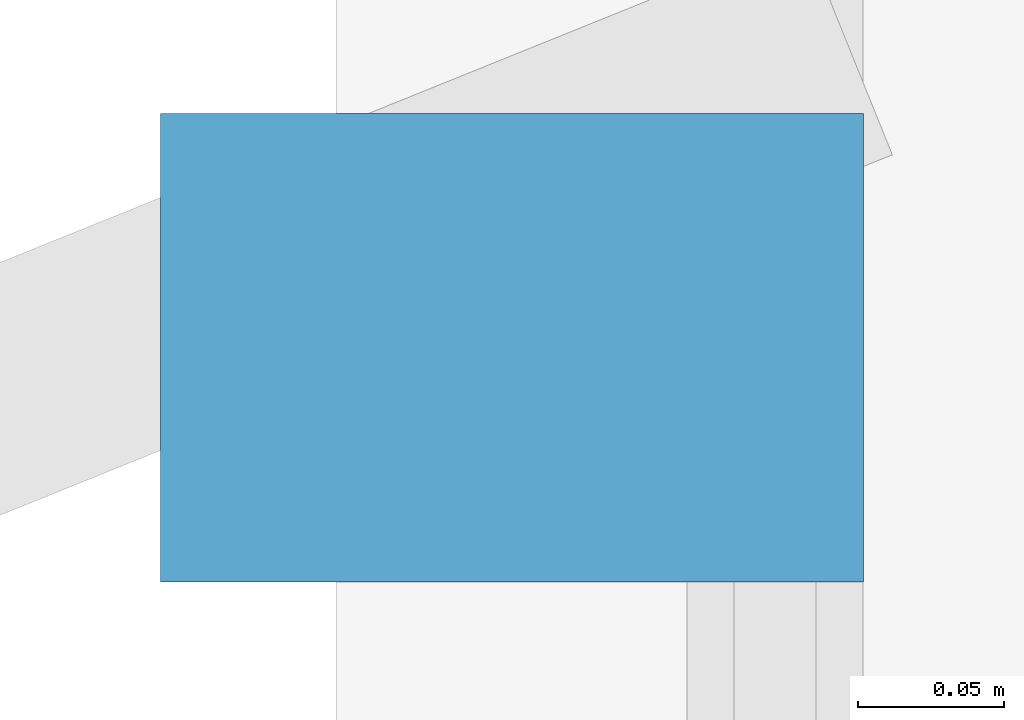
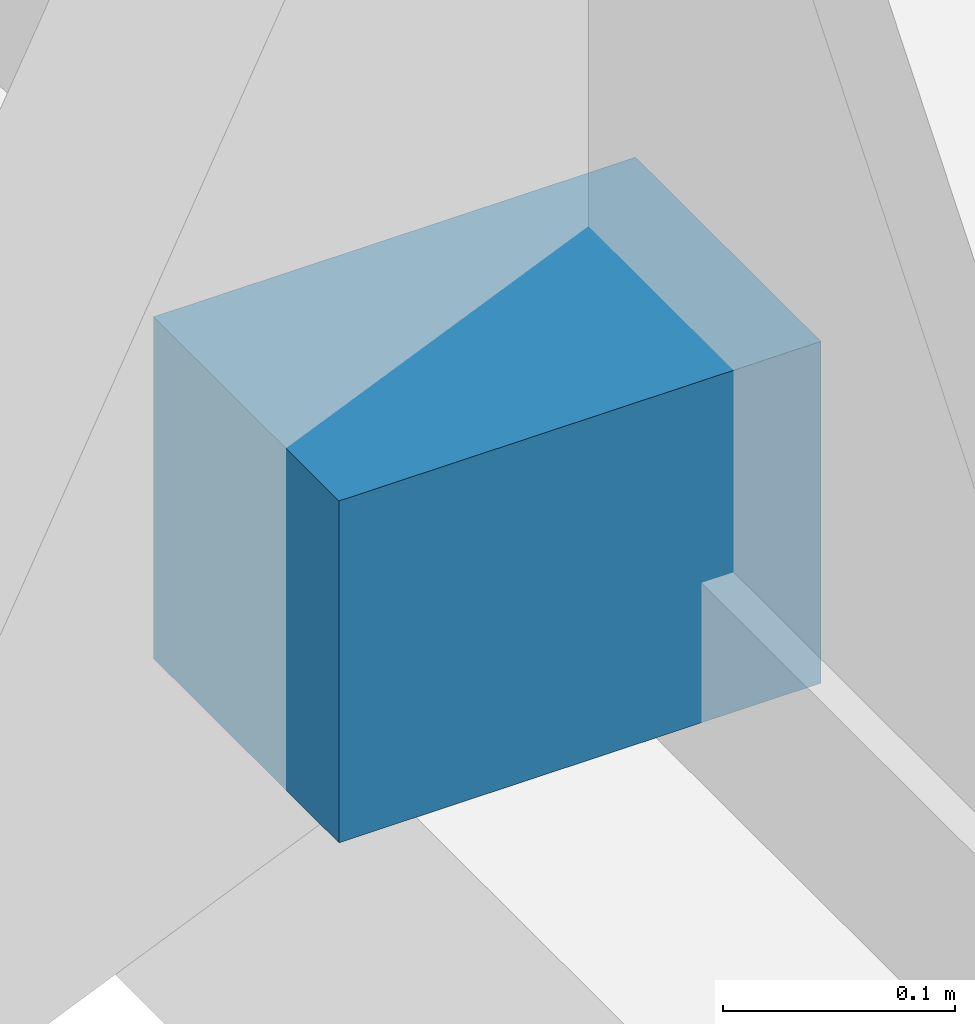
# One storey, part 27 of 29: 1 discrete accessory.
"""IFC4 building model written with IfcOpenShell, lengths in metres."""

from ifc_helpers import new_model, si_unit, direction, frame, origin, origin_2d, place, context, subcontext, project, spatial, rectangle, extrude, material, type_object, element, save


model = new_model("IFC4")

# Units and contexts
model_context = context("Model", 3, precision=1e-05, world=origin(), true_north=direction((0.0, 1.0)))
body_context = subcontext(model_context, "Body", "Model", "MODEL_VIEW")
ifc_project = project(units=[si_unit("LENGTHUNIT", "METRE"), si_unit("AREAUNIT", "SQUARE_METRE"), si_unit("VOLUMEUNIT", "CUBIC_METRE"), si_unit("PLANEANGLEUNIT", "RADIAN"), si_unit("MASSUNIT", "GRAM", prefix="KILO")], contexts=[model_context])

# Site, building, storey
site_placement = place(None, origin())
site = spatial("IfcSite", under=ifc_project, at=site_placement, CompositionType="ELEMENT")
building_placement = place(site_placement, origin())
building = spatial("IfcBuilding", under=site, at=building_placement, Name="Calvorn Quay Hotel", CompositionType="ELEMENT")
storey_placement = place(building_placement, frame((0.0, 0.0, 124.0)))
storey = spatial("IfcBuildingStorey", under=building, at=storey_placement, Name="L30", CompositionType="ELEMENT", Elevation=124.0)

# Discrete accessory
ifc_material = material(Name="Steel Q355B", Category="steel")
discrete_accessory_type = type_object("IfcDiscreteAccessoryType", Name="ACC-FIN-BRACKET", PredefinedType="BRACKET", material=ifc_material)
discrete_accessory_placement = place(storey_placement, frame((0.06005859375, 37.25, 0.0302734375), z_axis=(0.0, 0.0, 1.0), x_axis=(1.0, 0.0, 0.0)))
element("IfcDiscreteAccessory", 1, at=discrete_accessory_placement, inside=storey, type_object=discrete_accessory_type, Name="Fin Anchor Bracket L30-W03", PredefinedType="BRACKET", context=body_context, shape_type="SweptSolid", body=[
    extrude(rectangle(XDim=0.239990234375, YDim=0.159912109375, at=origin_2d()), origin(), (0.0, 0.0, 1.0), 0.179931640625),
])

save(model, "model.ifc")
